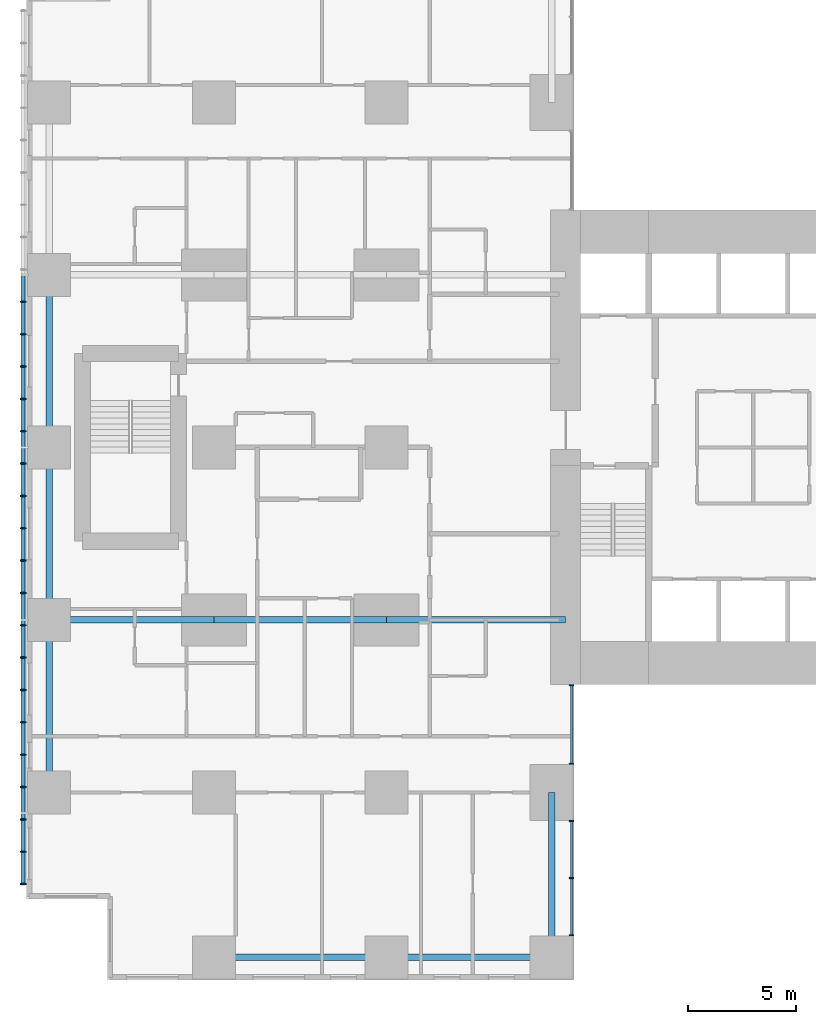
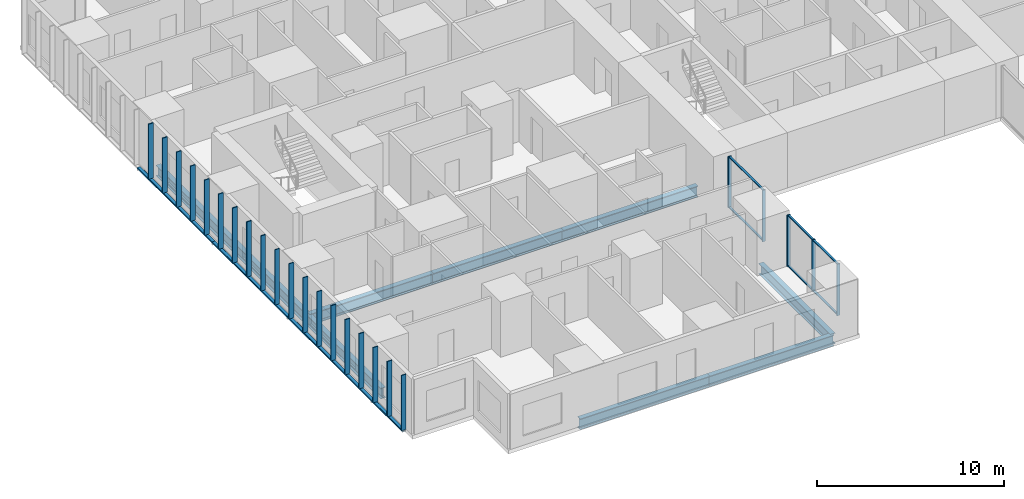
# One storey, part 2 of 20: 33 members, 9 beams, 2 elements without a shape of their own.
"""IFC4 building model written with IfcOpenShell, lengths in metres."""

from ifc_helpers import new_model, si_unit, direction, frame, origin, origin_2d, place, context, subcontext, project, spatial, rectangle, hollow_rectangle, i_section, extrude, material, layer, layer_set, material_profile, profile_set, type_object, element, aggregate, save


model = new_model("IFC4")

# Units and contexts
model_context = context("Model", 3, precision=1e-05, world=origin(), true_north=direction((0.0, 1.0)))
body_context = subcontext(model_context, "Body", "Model", "MODEL_VIEW")
ifc_project = project(units=[si_unit("LENGTHUNIT", "METRE"), si_unit("AREAUNIT", "SQUARE_METRE"), si_unit("VOLUMEUNIT", "CUBIC_METRE"), si_unit("PLANEANGLEUNIT", "RADIAN"), si_unit("MASSUNIT", "GRAM", prefix="KILO")], contexts=[model_context])

# Site, building, storey
site_placement = place(None, origin())
site = spatial("IfcSite", under=ifc_project, at=site_placement, CompositionType="ELEMENT")
building_placement = place(site_placement, origin())
building = spatial("IfcBuilding", under=site, at=building_placement, Name="Cleftline Residences", CompositionType="ELEMENT")
storey_placement = place(building_placement, frame((0.0, 0.0, 51.199951171875)))
storey = spatial("IfcBuildingStorey", under=building, at=storey_placement, Name="L12", CompositionType="ELEMENT", Elevation=51.199951171875)

# Members
ifc_material_1 = material(Name="Steel S355, hot-dip galvanised", Category="steel")
ifc_material_profile_1 = material_profile(ifc_material_1, hollow_rectangle(XDim=0.10009765625, YDim=0.199951171875, WallThickness=0.008056640625, InnerFilletRadius=0.008056640625, OuterFilletRadius=0.011962890625, at=origin_2d()))
ifc_profile_set_1 = profile_set([ifc_material_profile_1], Name="Steel S355, hot-dip galvanised")
member_type_1 = type_object("IfcMemberType", Name="BAGUETTE CARRIER RHS 200X100X8", PredefinedType="USERDEFINED", material=ifc_profile_set_1)
for number, where, z_axis, x_axis, name in (
    (1, (-0.85009765625, 32.0, -0.050048828125), (0.0, -1.0, 0.0), (0.0, 0.0, 1.0), "Baguette carrier"),
    (2, (-0.85009765625, 24.0, -0.050048828125), (0.0, -1.0, 0.0), (0.0, 0.0, 1.0), "Baguette carrier"),
):
    element("IfcMember", number, at=place(storey_placement, frame(where, z_axis=z_axis, x_axis=x_axis)), inside=storey, type_object=member_type_1, Name=name, ObjectType="BAGUETTE CARRIER", PredefinedType="USERDEFINED", context=body_context, shape_type="SweptSolid", body=[
        extrude(hollow_rectangle(XDim=0.10009765625, YDim=0.199951171875, WallThickness=0.008056640625, InnerFilletRadius=0.008056640625, OuterFilletRadius=0.011962890625, at=origin_2d()), origin(), (0.0, 0.0, 1.0), 8.0),
    ])
member_1_placement = place(storey_placement, frame((-0.85009765625, 16.0, -0.050048828125), z_axis=(0.0, -1.0, 0.0), x_axis=(0.0, 0.0, 1.0)))
element("IfcMember", 3, at=member_1_placement, inside=storey, type_object=member_type_1, Name="Baguette carrier", ObjectType="BAGUETTE CARRIER", PredefinedType="USERDEFINED", context=body_context, shape_type="SweptSolid", body=[
    extrude(hollow_rectangle(XDim=0.10009765625, YDim=0.199951171875, WallThickness=0.008056640625, InnerFilletRadius=0.008056640625, OuterFilletRadius=0.011962890625, at=origin_2d()), origin(), (0.0, 0.0, 1.0), 12.300048828125),
])

# Beams
ifc_material_2 = material(Name="Steel S355", Category="steel")
ifc_material_profile_2 = material_profile(ifc_material_2, i_section(OverallWidth=0.300048828125, OverallDepth=0.699951171875, WebThickness=0.01708984375, FlangeThickness=0.031982421875, FilletRadius=0.027099609375, at=origin_2d()))
ifc_profile_set_2 = profile_set([ifc_material_profile_2], Name="Steel S355")
beam_type_1 = type_object("IfcBeamType", Name="BEAM HEB 700", PredefinedType="BEAM", material=ifc_profile_set_2)
for number, where, z_axis, x_axis, name in (
    (4, (0.35009765625, 8.0, -0.599853515625), (0.0, 1.0, 0.0), (-1.0, 0.0, 0.0), "Edge beam"),
    (5, (0.35009765625, 16.0, -0.599853515625), (0.0, 1.0, 0.0), (-1.0, 0.0, 0.0), "Edge beam"),
    (6, (0.35009765625, 24.0, -0.599853515625), (0.0, 1.0, 0.0), (-1.0, 0.0, 0.0), "Edge beam"),
    (7, (8.0, 0.35009765625, -0.599853515625), (1.0, 0.0, 0.0), (0.0, 1.0, 0.0), "Edge beam"),
):
    element("IfcBeam", number, at=place(storey_placement, frame(where, z_axis=z_axis, x_axis=x_axis)), inside=storey, type_object=beam_type_1, Name=name, PredefinedType="BEAM", context=body_context, shape_type="SweptSolid", body=[
        extrude(i_section(OverallWidth=0.300048828125, OverallDepth=0.699951171875, WebThickness=0.01708984375, FlangeThickness=0.031982421875, FilletRadius=0.027099609375, at=origin_2d()), origin(), (0.0, 0.0, 1.0), 8.0),
    ])
for number, where, z_axis, x_axis, name in (
    (8, (16.0, 0.35009765625, -0.599853515625), (1.0, 0.0, 0.0), (0.0, 1.0, 0.0), "Edge beam"),
    (9, (23.64990234375, 0.35009765625, -0.599853515625), (0.0, 1.0, 0.0), (-1.0, 0.0, 0.0), "Edge beam"),
):
    element("IfcBeam", number, at=place(storey_placement, frame(where, z_axis=z_axis, x_axis=x_axis)), inside=storey, type_object=beam_type_1, Name=name, PredefinedType="BEAM", context=body_context, shape_type="SweptSolid", body=[
        extrude(i_section(OverallWidth=0.300048828125, OverallDepth=0.699951171875, WebThickness=0.01708984375, FlangeThickness=0.031982421875, FilletRadius=0.027099609375, at=origin_2d()), origin(), (0.0, 0.0, 1.0), 7.64990234375),
    ])
ifc_material_3 = material(Name="Steel S355", Category="steel")
ifc_material_profile_3 = material_profile(ifc_material_3, i_section(OverallWidth=0.303955078125, OverallDepth=0.716064453125, WebThickness=0.02099609375, FlangeThickness=0.0400390625, FilletRadius=0.027099609375, at=origin_2d()))
ifc_profile_set_3 = profile_set([ifc_material_profile_3], Name="Steel S355")
beam_type_2 = type_object("IfcBeamType", Name="BEAM HEM 700", PredefinedType="BEAM", material=ifc_profile_set_3)
beam_1_placement = place(storey_placement, frame((0.35009765625, 16.0, -0.60791015625), z_axis=(1.0, 0.0, 0.0), x_axis=(0.0, 1.0, 0.0)))
element("IfcBeam", 10, at=beam_1_placement, inside=storey, type_object=beam_type_2, Name="Band beam", PredefinedType="BEAM", context=body_context, shape_type="SweptSolid", body=[
    extrude(i_section(OverallWidth=0.303955078125, OverallDepth=0.716064453125, WebThickness=0.02099609375, FlangeThickness=0.0400390625, FilletRadius=0.027099609375, at=origin_2d()), origin(), (0.0, 0.0, 1.0), 7.64990234375),
])
beam_2_placement = place(storey_placement, frame((8.0, 16.0, -0.60791015625), z_axis=(1.0, 0.0, 0.0), x_axis=(0.0, 1.0, 0.0)))
element("IfcBeam", 11, at=beam_2_placement, inside=storey, type_object=beam_type_2, Name="Band beam", PredefinedType="BEAM", context=body_context, shape_type="SweptSolid", body=[
    extrude(i_section(OverallWidth=0.303955078125, OverallDepth=0.716064453125, WebThickness=0.02099609375, FlangeThickness=0.0400390625, FilletRadius=0.027099609375, at=origin_2d()), origin(), (0.0, 0.0, 1.0), 8.0),
])
beam_3_placement = place(storey_placement, frame((16.0, 16.0, -0.60791015625), z_axis=(1.0, 0.0, 0.0), x_axis=(0.0, 1.0, 0.0)))
element("IfcBeam", 12, at=beam_3_placement, inside=storey, type_object=beam_type_2, Name="Band beam", PredefinedType="BEAM", context=body_context, shape_type="SweptSolid", body=[
    extrude(i_section(OverallWidth=0.303955078125, OverallDepth=0.716064453125, WebThickness=0.02099609375, FlangeThickness=0.0400390625, FilletRadius=0.027099609375, at=origin_2d()), origin(), (0.0, 0.0, 1.0), 8.300048828125),
])

# Curtain wall, members
ifc_material_4 = material(Name="Aluminium framed curtain wall", Category="aluminium")
ifc_layer = layer(ifc_material_4, 0.199951171875)
ifc_layer_set = layer_set([ifc_layer], Name="CW1 CLEFT GLAZING")
curtain_wall_type = type_object("IfcCurtainWallType", Name="CW1 CLEFT GLAZING", PredefinedType="NOTDEFINED", material=ifc_layer_set)
curtain_wall_1_placement = place(storey_placement, origin())
curtain_wall_1 = element("IfcCurtainWall", 13, at=curtain_wall_1_placement, inside=storey, type_object=curtain_wall_type, Name="Curtain wall CW1", PredefinedType="NOTDEFINED")
ifc_material_5 = material(Name="Aluminium mullion", Category="aluminium")
ifc_material_profile_4 = material_profile(ifc_material_5, rectangle(XDim=0.199951171875, YDim=0.06005859375, at=origin_2d()))
ifc_profile_set_4 = profile_set([ifc_material_profile_4], Name="Aluminium mullion")
member_type_2 = type_object("IfcMemberType", Name="CW1 MULLION", PredefinedType="MULLION", material=ifc_profile_set_4)
member_2_placement = place(storey_placement, frame((24.574951171875, 1.3798828125, 0.0), z_axis=(0.0, 0.0, 1.0), x_axis=(-1.0, 0.0, 0.0)))
member_2 = element("IfcMember", 14, at=member_2_placement, type_object=member_type_2, Name="CW1 mullion 1", PredefinedType="MULLION", context=body_context, shape_type="SweptSolid", body=[
    extrude(rectangle(XDim=0.199951171875, YDim=0.06005859375, at=origin_2d()), origin(), (0.0, 0.0, 1.0), 3.35009765625),
])
member_3_placement = place(storey_placement, frame((24.574951171875, 4.02490234375, 0.0), z_axis=(0.0, 0.0, 1.0), x_axis=(-1.0, 0.0, 0.0)))
member_3 = element("IfcMember", 15, at=member_3_placement, type_object=member_type_2, Name="CW1 mullion 2", PredefinedType="MULLION", context=body_context, shape_type="SweptSolid", body=[
    extrude(rectangle(XDim=0.199951171875, YDim=0.06005859375, at=origin_2d()), origin(), (0.0, 0.0, 1.0), 3.35009765625),
])
member_4_placement = place(storey_placement, frame((24.574951171875, 6.669921875, 0.0), z_axis=(0.0, 0.0, 1.0), x_axis=(-1.0, 0.0, 0.0)))
member_4 = element("IfcMember", 16, at=member_4_placement, type_object=member_type_2, Name="CW1 mullion 3", PredefinedType="MULLION", context=body_context, shape_type="SweptSolid", body=[
    extrude(rectangle(XDim=0.199951171875, YDim=0.06005859375, at=origin_2d()), origin(), (0.0, 0.0, 1.0), 3.35009765625),
])

curtain_wall_2_placement = place(storey_placement, origin())
curtain_wall_2 = element("IfcCurtainWall", 17, at=curtain_wall_2_placement, inside=storey, type_object=curtain_wall_type, Name="Curtain wall CW1", PredefinedType="NOTDEFINED")
member_5_placement = place(storey_placement, frame((24.574951171875, 9.330078125, 0.0), z_axis=(0.0, 0.0, 1.0), x_axis=(-1.0, 0.0, 0.0)))
member_5 = element("IfcMember", 18, at=member_5_placement, type_object=member_type_2, Name="CW1 mullion 1", PredefinedType="MULLION", context=body_context, shape_type="SweptSolid", body=[
    extrude(rectangle(XDim=0.199951171875, YDim=0.06005859375, at=origin_2d()), origin(), (0.0, 0.0, 1.0), 3.35009765625),
])
member_6_placement = place(storey_placement, frame((24.574951171875, 12.969970703125, 0.0), z_axis=(0.0, 0.0, 1.0), x_axis=(-1.0, 0.0, 0.0)))
member_6 = element("IfcMember", 19, at=member_6_placement, type_object=member_type_2, Name="CW1 mullion 2", PredefinedType="MULLION", context=body_context, shape_type="SweptSolid", body=[
    extrude(rectangle(XDim=0.199951171875, YDim=0.06005859375, at=origin_2d()), origin(), (0.0, 0.0, 1.0), 3.35009765625),
])

# Member
ifc_material_6 = material(Name="Aluminium transom", Category="aluminium")
ifc_material_profile_5 = material_profile(ifc_material_6, rectangle(XDim=0.1201171875, YDim=0.06005859375, at=origin_2d()))
ifc_profile_set_5 = profile_set([ifc_material_profile_5], Name="Aluminium transom")
member_type_3 = type_object("IfcMemberType", Name="CW1 TRANSOM", PredefinedType="USERDEFINED", material=ifc_profile_set_5)
member_7_placement = place(storey_placement, frame((24.574951171875, 1.409912109375, 0.030029296875), z_axis=(0.0, 1.0, 0.0), x_axis=(-1.0, 0.0, 0.0)))
member_7 = element("IfcMember", 20, at=member_7_placement, type_object=member_type_3, Name="CW1 transom 1.1", ObjectType="TRANSOM", PredefinedType="USERDEFINED", context=body_context, shape_type="SweptSolid", body=[
    extrude(rectangle(XDim=0.1201171875, YDim=0.06005859375, at=origin_2d()), origin(), (0.0, 0.0, 1.0), 2.585205078125),
])

member_8_placement = place(storey_placement, frame((24.574951171875, 1.409912109375, 3.320068359375), z_axis=(0.0, 1.0, 0.0), x_axis=(-1.0, 0.0, 0.0)))
member_8 = element("IfcMember", 21, at=member_8_placement, type_object=member_type_3, Name="CW1 transom 1.2", ObjectType="TRANSOM", PredefinedType="USERDEFINED", context=body_context, shape_type="SweptSolid", body=[
    extrude(rectangle(XDim=0.1201171875, YDim=0.06005859375, at=origin_2d()), origin(), (0.0, 0.0, 1.0), 2.585205078125),
])

member_9_placement = place(storey_placement, frame((24.574951171875, 4.054931640625, 0.030029296875), z_axis=(0.0, 1.0, 0.0), x_axis=(-1.0, 0.0, 0.0)))
member_9 = element("IfcMember", 22, at=member_9_placement, type_object=member_type_3, Name="CW1 transom 2.1", ObjectType="TRANSOM", PredefinedType="USERDEFINED", context=body_context, shape_type="SweptSolid", body=[
    extrude(rectangle(XDim=0.1201171875, YDim=0.06005859375, at=origin_2d()), origin(), (0.0, 0.0, 1.0), 2.5849609375),
])

member_10_placement = place(storey_placement, frame((24.574951171875, 4.054931640625, 3.320068359375), z_axis=(0.0, 1.0, 0.0), x_axis=(-1.0, 0.0, 0.0)))
member_10 = element("IfcMember", 23, at=member_10_placement, type_object=member_type_3, Name="CW1 transom 2.2", ObjectType="TRANSOM", PredefinedType="USERDEFINED", context=body_context, shape_type="SweptSolid", body=[
    extrude(rectangle(XDim=0.1201171875, YDim=0.06005859375, at=origin_2d()), origin(), (0.0, 0.0, 1.0), 2.5849609375),
])

aggregate(curtain_wall_1, [member_2, member_3, member_4, member_7, member_8, member_9, member_10])

member_11_placement = place(storey_placement, frame((24.574951171875, 9.360107421875, 0.030029296875), z_axis=(0.0, 1.0, 0.0), x_axis=(-1.0, 0.0, 0.0)))
member_11 = element("IfcMember", 24, at=member_11_placement, type_object=member_type_3, Name="CW1 transom 1.1", ObjectType="TRANSOM", PredefinedType="USERDEFINED", context=body_context, shape_type="SweptSolid", body=[
    extrude(rectangle(XDim=0.1201171875, YDim=0.06005859375, at=origin_2d()), origin(), (0.0, 0.0, 1.0), 3.579833984375),
])

member_12_placement = place(storey_placement, frame((24.574951171875, 9.360107421875, 3.320068359375), z_axis=(0.0, 1.0, 0.0), x_axis=(-1.0, 0.0, 0.0)))
member_12 = element("IfcMember", 25, at=member_12_placement, type_object=member_type_3, Name="CW1 transom 1.2", ObjectType="TRANSOM", PredefinedType="USERDEFINED", context=body_context, shape_type="SweptSolid", body=[
    extrude(rectangle(XDim=0.1201171875, YDim=0.06005859375, at=origin_2d()), origin(), (0.0, 0.0, 1.0), 3.579833984375),
])

aggregate(curtain_wall_2, [member_5, member_6, member_11, member_12])

# Members
ifc_material_7 = material(Name="Extruded terracotta", Category="masonry")
ifc_material_profile_6 = material_profile(ifc_material_7, rectangle(XDim=0.06005859375, YDim=0.300048828125, at=origin_2d()))
ifc_profile_set_6 = profile_set([ifc_material_profile_6], Name="Extruded terracotta")
member_type_4 = type_object("IfcMemberType", Name="TERRACOTTA BAGUETTE 60X300", PredefinedType="USERDEFINED", material=ifc_profile_set_6)
for number, where, z_axis, x_axis, name in (
    (26, (-0.85009765625, 30.75, 0.0), (0.0, 0.0, 1.0), (0.0, 1.0, 0.0), "Terracotta baguette"),
    (27, (-0.85009765625, 29.25, 0.0), (0.0, 0.0, 1.0), (0.0, 1.0, 0.0), "Terracotta baguette"),
    (28, (-0.85009765625, 27.75, 0.0), (0.0, 0.0, 1.0), (0.0, 1.0, 0.0), "Terracotta baguette"),
    (29, (-0.85009765625, 26.25, 0.0), (0.0, 0.0, 1.0), (0.0, 1.0, 0.0), "Terracotta baguette"),
    (30, (-0.85009765625, 24.75, 0.0), (0.0, 0.0, 1.0), (0.0, 1.0, 0.0), "Terracotta baguette"),
    (31, (-0.85009765625, 23.25, 0.0), (0.0, 0.0, 1.0), (0.0, 1.0, 0.0), "Terracotta baguette"),
    (32, (-0.85009765625, 21.75, 0.0), (0.0, 0.0, 1.0), (0.0, 1.0, 0.0), "Terracotta baguette"),
    (33, (-0.85009765625, 20.25, 0.0), (0.0, 0.0, 1.0), (0.0, 1.0, 0.0), "Terracotta baguette"),
    (34, (-0.85009765625, 18.75, 0.0), (0.0, 0.0, 1.0), (0.0, 1.0, 0.0), "Terracotta baguette"),
    (35, (-0.85009765625, 17.25, 0.0), (0.0, 0.0, 1.0), (0.0, 1.0, 0.0), "Terracotta baguette"),
    (36, (-0.85009765625, 15.75, 0.0), (0.0, 0.0, 1.0), (0.0, 1.0, 0.0), "Terracotta baguette"),
    (37, (-0.85009765625, 14.25, 0.0), (0.0, 0.0, 1.0), (0.0, 1.0, 0.0), "Terracotta baguette"),
    (38, (-0.85009765625, 12.75, 0.0), (0.0, 0.0, 1.0), (0.0, 1.0, 0.0), "Terracotta baguette"),
    (39, (-0.85009765625, 11.25, 0.0), (0.0, 0.0, 1.0), (0.0, 1.0, 0.0), "Terracotta baguette"),
    (40, (-0.85009765625, 9.75, 0.0), (0.0, 0.0, 1.0), (0.0, 1.0, 0.0), "Terracotta baguette"),
    (41, (-0.85009765625, 8.25, 0.0), (0.0, 0.0, 1.0), (0.0, 1.0, 0.0), "Terracotta baguette"),
    (42, (-0.85009765625, 6.75, 0.0), (0.0, 0.0, 1.0), (0.0, 1.0, 0.0), "Terracotta baguette"),
    (43, (-0.85009765625, 5.25, 0.0), (0.0, 0.0, 1.0), (0.0, 1.0, 0.0), "Terracotta baguette"),
    (44, (-0.85009765625, 3.75, 0.0), (0.0, 0.0, 1.0), (0.0, 1.0, 0.0), "Terracotta baguette"),
):
    element("IfcMember", number, at=place(storey_placement, frame(where, z_axis=z_axis, x_axis=x_axis)), inside=storey, type_object=member_type_4, Name=name, ObjectType="BAGUETTE", PredefinedType="USERDEFINED", context=body_context, shape_type="SweptSolid", body=[
        extrude(rectangle(XDim=0.06005859375, YDim=0.300048828125, at=origin_2d()), origin(), (0.0, 0.0, 1.0), 3.60009765625),
    ])

save(model, "model.ifc")
